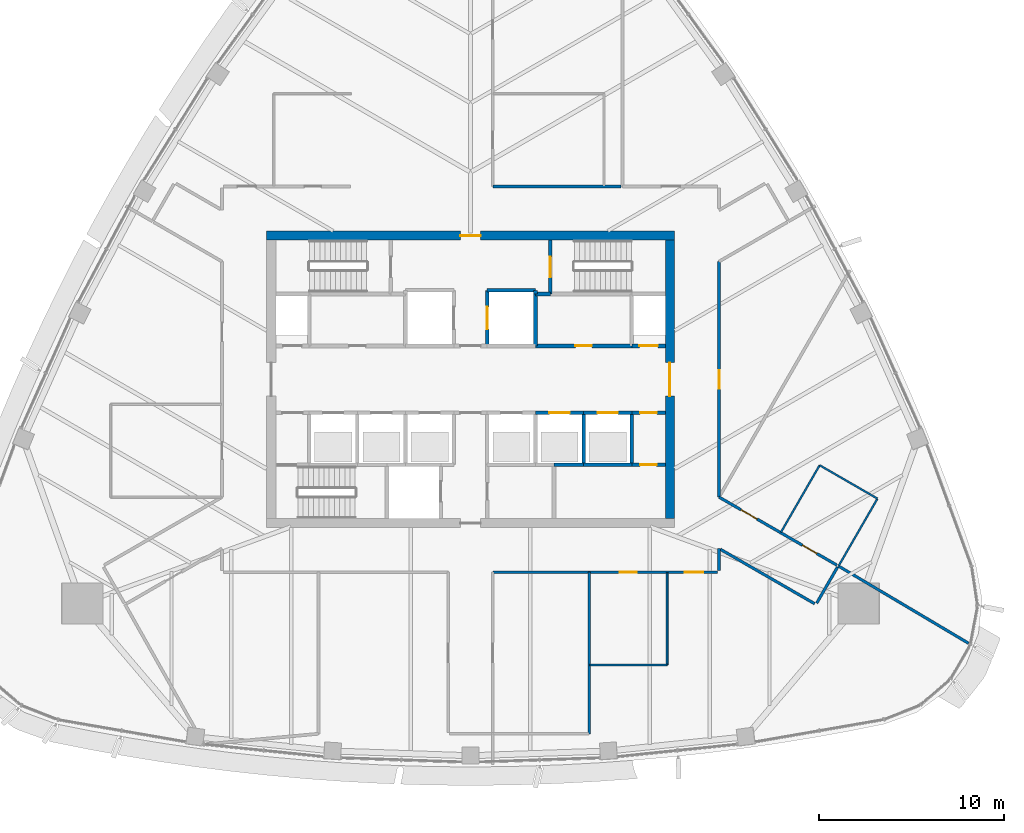
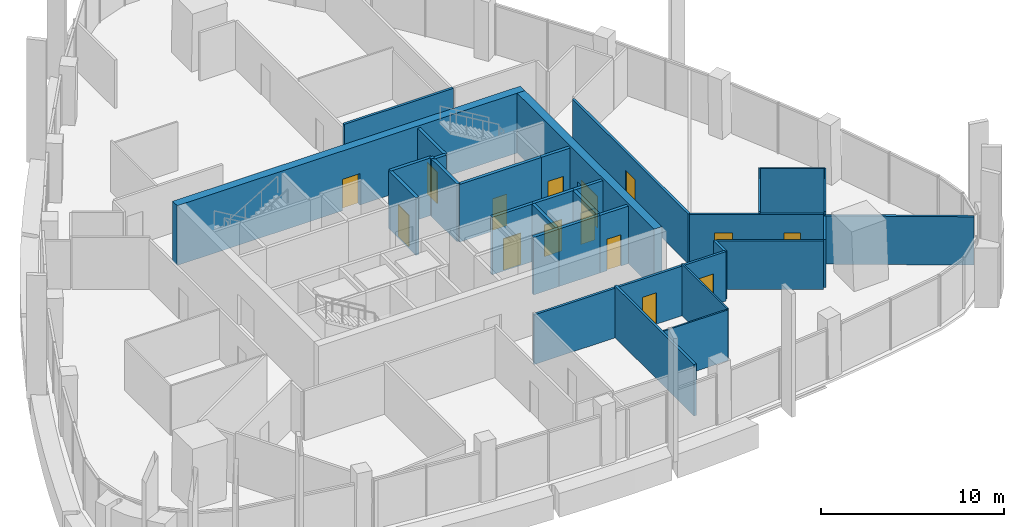
# One storey, part 10 of 18: 32 walls, 15 doors, 15 openings.
"""IFC4 building model written with IfcOpenShell, lengths in metres."""

from ifc_helpers import new_model, si_unit, direction, frame, frame_2d, origin, place, context, subcontext, project, spatial, rectangle, extrude, material, layer, layer_set, type_object, element, fill, save


model = new_model("IFC4")

# Units and contexts
model_context = context("Model", 3, precision=1e-05, world=origin(), true_north=direction((0.0, 1.0)))
body_context = subcontext(model_context, "Body", "Model", "MODEL_VIEW")
ifc_project = project(units=[si_unit("LENGTHUNIT", "METRE"), si_unit("AREAUNIT", "SQUARE_METRE"), si_unit("VOLUMEUNIT", "CUBIC_METRE"), si_unit("PLANEANGLEUNIT", "RADIAN"), si_unit("MASSUNIT", "GRAM", prefix="KILO")], contexts=[model_context])

# Site, building, storey
site_placement = place(None, origin())
site = spatial("IfcSite", under=ifc_project, at=site_placement, CompositionType="ELEMENT")
building_placement = place(site_placement, origin())
building = spatial("IfcBuilding", under=site, at=building_placement, Name="Sierra Prisma Convention Tower", CompositionType="ELEMENT")
storey_placement = place(building_placement, frame((0.0, 0.0, 279.0)))
storey = spatial("IfcBuildingStorey", under=building, at=storey_placement, Name="L63", CompositionType="ELEMENT", Elevation=279.0)

# Walls
ifc_material_1 = material(Name="Gypsum board partition", Category="gypsum")
ifc_layer_1 = layer(ifc_material_1, 0.10009765625)
ifc_layer_set_1 = layer_set([ifc_layer_1], Name="Bathroom partition 100")
wall_type_1 = type_object("IfcWallType", Name="Bathroom partition 100", PredefinedType="PARTITIONING", material=ifc_layer_set_1)
wall_1_placement = place(storey_placement, frame((10.60009765625, -10.429931640625, 0.0), z_axis=(0.0, 0.0, 1.0), x_axis=(0.0, -1.0, 0.0)))
element("IfcWall", 1, at=wall_1_placement, inside=storey, type_object=wall_type_1, Name="Partition L63 bath 8", PredefinedType="PARTITIONING", context=body_context, shape_type="SweptSolid", body=[
    extrude(rectangle(XDim=4.969970703125, YDim=0.10009765625, at=frame_2d((2.48486328125, 0.0))), origin(), (0.0, 0.0, 1.0), 3.449951171875),
])
wall_2_placement = place(storey_placement, frame((10.60009765625, -15.39990234375, 0.0), z_axis=(0.0, 0.0, 1.0), x_axis=(-1.0, 0.0, 0.0)))
element("IfcWall", 2, at=wall_2_placement, inside=storey, type_object=wall_type_1, Name="Partition L63 bath 9", PredefinedType="PARTITIONING", context=body_context, shape_type="SweptSolid", body=[
    extrude(rectangle(XDim=4.170166015625, YDim=0.10009765625, at=frame_2d((2.0849609375, 0.0))), origin(), (0.0, 0.0, 1.0), 3.39306640625),
])
wall_3_placement = place(storey_placement, frame((16.738037109375, -8.243408203125, 0.0), z_axis=(0.0, 0.0, 1.0), x_axis=(0.499992746786, 0.866029591389, 0.0)))
element("IfcWall", 3, at=wall_3_placement, inside=storey, type_object=wall_type_1, Name="Partition L63 bath 10", PredefinedType="PARTITIONING", context=body_context, shape_type="SweptSolid", body=[
    extrude(rectangle(XDim=4.169921875, YDim=0.10009765625, at=frame_2d((2.0849609375, 0.0))), origin(), (0.0, 0.0, 1.0), 3.449951171875),
])
wall_4_placement = place(storey_placement, frame((18.822998046875, -4.632080078125, 0.0), z_axis=(0.0, 0.0, 1.0), x_axis=(0.866018442252, -0.500012057535, 0.0)))
element("IfcWall", 4, at=wall_4_placement, inside=storey, type_object=wall_type_1, Name="Partition L63 bath 11", PredefinedType="PARTITIONING", context=body_context, shape_type="SweptSolid", body=[
    extrude(rectangle(XDim=3.60009765625, YDim=0.10009765625, at=frame_2d((1.800048828125, 0.0))), origin(), (0.0, 0.0, 1.0), 3.443115234375),
])
wall_5_placement = place(storey_placement, frame((21.940673828125, -6.43212890625, 0.0), z_axis=(0.0, 0.0, 1.0), x_axis=(-0.499992746786, -0.866029591389, 0.0)))
element("IfcWall", 5, at=wall_5_placement, inside=storey, type_object=wall_type_1, Name="Partition L63 bath 12", PredefinedType="PARTITIONING", context=body_context, shape_type="SweptSolid", body=[
    extrude(rectangle(XDim=4.169921875, YDim=0.10009765625, at=frame_2d((2.0849609375, 0.0))), origin(), (0.0, 0.0, 1.0), 3.449951171875),
])
ifc_material_2 = material(Name="Concrete C30/37", Category="concrete")
ifc_layer_2 = layer(ifc_material_2, 0.199951171875)
ifc_layer_set_2 = layer_set([ifc_layer_2], Name="Core wall RC 200 C30/37")
wall_type_2 = type_object("IfcWallType", Name="Core wall RC 200 C30/37", PredefinedType="SOLIDWALL", material=ifc_layer_set_2)
wall_6_placement = place(storey_placement, frame((3.5, 4.60009765625, 0.0), z_axis=(0.0, 0.0, 1.0), x_axis=(0.0, 1.0, 0.0)))
element("IfcWall", 6, at=wall_6_placement, inside=storey, type_object=wall_type_2, Name="Core wall L63 36", PredefinedType="SOLIDWALL", context=body_context, shape_type="SweptSolid", body=[
    extrude(rectangle(XDim=0.199951171875, YDim=0.199951171875, at=frame_2d((0.10009765625, 0.0))), origin(), (0.0, 0.0, 1.0), 3.85009765625),
])
wall_7_placement = place(storey_placement, frame((3.5, 4.800048828125, 0.0), z_axis=(0.0, 0.0, 1.0), x_axis=(-1.0, 0.0, 0.0)))
element("IfcWall", 7, at=wall_7_placement, inside=storey, type_object=wall_type_2, Name="Core wall L63 37", PredefinedType="SOLIDWALL", context=body_context, shape_type="SweptSolid", body=[
    extrude(rectangle(XDim=2.60009765625, YDim=0.199951171875, at=frame_2d((1.300048828125, 0.0))), origin(), (0.0, 0.0, 1.0), 3.85009765625),
])

# Wall, opening, door
wall_8_placement = place(storey_placement, frame((0.89990234375, 4.800048828125, 0.0), z_axis=(0.0, 0.0, 1.0), x_axis=(0.0, -1.0, 0.0)))
wall_8 = element("IfcWall", 8, at=wall_8_placement, inside=storey, type_object=wall_type_2, Name="Core wall L63 38", PredefinedType="SOLIDWALL", context=body_context, shape_type="SweptSolid", body=[
    extrude(rectangle(XDim=3.0, YDim=0.199951171875, at=frame_2d((1.5, 0.0))), origin(), (0.0, 0.0, 1.0), 3.85009765625),
])
opening_1_placement = place(wall_8_placement, frame((0.89990234375, 0.0, 0.0)))
opening_1 = element("IfcOpeningElement", 9, at=opening_1_placement, cuts=wall_8, Name="Opening L63-D008", PredefinedType="OPENING", context=body_context, shape_type="SweptSolid", body=[
    extrude(rectangle(XDim=1.199951171875, YDim=2.10009765625, at=frame_2d((0.60009765625, 1.050048828125))), frame((0.0, 0.10009765625, 0.0), z_axis=(0.0, -1.0, 0.0), x_axis=(1.0, 0.0, 0.0)), (0.0, 0.0, 1.0), 0.199951171875),
])
ifc_material_3 = material(Name="Steel fire door leaf", Category="steel")
door_type_1 = type_object("IfcDoorType", Name="Door 1200x2100 EI 90 sliding lift landing", OperationType="SLIDING_TO_LEFT", PredefinedType="DOOR", material=ifc_material_3)
door_1_placement = place(opening_1_placement, origin())
door_1 = element("IfcDoor", 10, at=door_1_placement, inside=storey, type_object=door_type_1, Name="Door L63 23", OperationType="SLIDING_TO_RIGHT", OverallHeight=2.10009765625, OverallWidth=1.199951171875, PredefinedType="DOOR", context=body_context, shape_type="SweptSolid", body=[
    extrude(rectangle(XDim=1.199951171875, YDim=2.10009765625, at=frame_2d((0.60009765625, 1.050048828125))), frame((0.0, 0.02490234375, 0.0), z_axis=(0.0, -1.0, 0.0), x_axis=(1.0, 0.0, 0.0)), (0.0, 0.0, 1.0), 0.050048828125),
])
fill(opening_1, door_1)

wall_9_placement = place(storey_placement, frame((3.5, -1.800048828125, 0.0), z_axis=(0.0, 0.0, 1.0), x_axis=(1.0, 0.0, 0.0)))
wall_9 = element("IfcWall", 11, at=wall_9_placement, inside=storey, type_object=wall_type_2, Name="Core wall L63 41", PredefinedType="SOLIDWALL", context=body_context, shape_type="SweptSolid", body=[
    extrude(rectangle(XDim=2.60009765625, YDim=0.199951171875, at=frame_2d((1.300048828125, 0.0))), origin(), (0.0, 0.0, 1.0), 3.85009765625),
])
opening_2_placement = place(wall_9_placement, frame((0.75, 0.0, 0.0)))
opening_2 = element("IfcOpeningElement", 12, at=opening_2_placement, cuts=wall_9, Name="Opening L63-D005", PredefinedType="OPENING", context=body_context, shape_type="SweptSolid", body=[
    extrude(rectangle(XDim=1.10009765625, YDim=2.10009765625, at=frame_2d((0.550048828125, 1.050048828125))), frame((0.0, 0.10009765625, 0.0), z_axis=(0.0, -1.0, 0.0), x_axis=(1.0, 0.0, 0.0)), (0.0, 0.0, 1.0), 0.199951171875),
])
ifc_material_4 = material(Name="Steel fire door leaf", Category="steel")
door_type_2 = type_object("IfcDoorType", Name="Door 1100x2100 EI 90 sliding lift landing", OperationType="SLIDING_TO_LEFT", PredefinedType="DOOR", material=ifc_material_4)
door_2_placement = place(opening_2_placement, origin())
door_2 = element("IfcDoor", 13, at=door_2_placement, inside=storey, type_object=door_type_2, Name="Door L63 20", OperationType="SLIDING_TO_RIGHT", OverallHeight=2.10009765625, OverallWidth=1.10009765625, PredefinedType="DOOR", context=body_context, shape_type="SweptSolid", body=[
    extrude(rectangle(XDim=1.10009765625, YDim=2.10009765625, at=frame_2d((0.550048828125, 1.050048828125))), frame((0.0, 0.02490234375, 0.0), z_axis=(0.0, -1.0, 0.0), x_axis=(1.0, 0.0, 0.0)), (0.0, 0.0, 1.0), 0.050048828125),
])
fill(opening_2, door_2)

wall_10_placement = place(storey_placement, frame((3.5, 1.800048828125, 0.0), z_axis=(0.0, 0.0, 1.0), x_axis=(1.0, 0.0, 0.0)))
wall_10 = element("IfcWall", 14, at=wall_10_placement, inside=storey, type_object=wall_type_2, Name="Core wall L63 42", PredefinedType="SOLIDWALL", context=body_context, shape_type="SweptSolid", body=[
    extrude(rectangle(XDim=5.199951171875, YDim=0.199951171875, at=frame_2d((2.60009765625, 0.0))), origin(), (0.0, 0.0, 1.0), 3.85009765625),
])
opening_3_placement = place(wall_10_placement, frame((2.14990234375, 0.0, 0.0)))
opening_3 = element("IfcOpeningElement", 15, at=opening_3_placement, cuts=wall_10, Name="Opening L63-D018", PredefinedType="OPENING", context=body_context, shape_type="SweptSolid", body=[
    extrude(rectangle(XDim=0.89990234375, YDim=2.10009765625, at=frame_2d((0.449951171875, 1.050048828125))), frame((0.0, 0.10009765625, 0.0), z_axis=(0.0, -1.0, 0.0), x_axis=(1.0, 0.0, 0.0)), (0.0, 0.0, 1.0), 0.199951171875),
])
ifc_material_5 = material(Name="Steel fire door leaf", Category="steel")
door_type_3 = type_object("IfcDoorType", Name="Door 900x2100 FD30S", OperationType="SINGLE_SWING_LEFT", PredefinedType="DOOR", material=ifc_material_5)
door_3_placement = place(opening_3_placement, origin())
door_3 = element("IfcDoor", 16, at=door_3_placement, inside=storey, type_object=door_type_3, Name="Door L63 33", OperationType="SINGLE_SWING_LEFT", OverallHeight=2.10009765625, OverallWidth=0.89990234375, PredefinedType="DOOR", context=body_context, shape_type="SweptSolid", body=[
    extrude(rectangle(XDim=0.89990234375, YDim=2.10009765625, at=frame_2d((0.449951171875, 1.050048828125))), frame((0.0, 0.02490234375, 0.0), z_axis=(0.0, -1.0, 0.0), x_axis=(1.0, 0.0, 0.0)), (0.0, 0.0, 1.0), 0.050048828125),
])
fill(opening_3, door_3)

# Walls
wall_11_placement = place(storey_placement, frame((3.5, 4.60009765625, 0.0), z_axis=(0.0, 0.0, 1.0), x_axis=(0.0, -1.0, 0.0)))
element("IfcWall", 17, at=wall_11_placement, inside=storey, type_object=wall_type_2, Name="Core wall L63 43", PredefinedType="SOLIDWALL", context=body_context, shape_type="SweptSolid", body=[
    extrude(rectangle(XDim=2.800048828125, YDim=0.199951171875, at=frame_2d((1.39990234375, 0.0))), origin(), (0.0, 0.0, 1.0), 3.85009765625),
])
wall_12_placement = place(storey_placement, frame((4.300048828125, 4.60009765625, 0.0), z_axis=(0.0, 0.0, 1.0), x_axis=(-1.0, 0.0, 0.0)))
element("IfcWall", 18, at=wall_12_placement, inside=storey, type_object=wall_type_2, Name="Core wall L63 44", PredefinedType="SOLIDWALL", context=body_context, shape_type="SweptSolid", body=[
    extrude(rectangle(XDim=0.800048828125, YDim=0.199951171875, at=frame_2d((0.39990234375, 0.0))), origin(), (0.0, 0.0, 1.0), 3.85009765625),
])

# Wall, opening, door
wall_13_placement = place(storey_placement, frame((4.300048828125, 7.5, 0.0), z_axis=(0.0, 0.0, 1.0), x_axis=(0.0, -1.0, 0.0)))
wall_13 = element("IfcWall", 19, at=wall_13_placement, inside=storey, type_object=wall_type_2, Name="Core wall L63 46", PredefinedType="SOLIDWALL", context=body_context, shape_type="SweptSolid", body=[
    extrude(rectangle(XDim=2.89990234375, YDim=0.199951171875, at=frame_2d((1.449951171875, 0.0))), origin(), (0.0, 0.0, 1.0), 3.85009765625),
])
opening_4_placement = place(wall_13_placement, frame((0.89990234375, 0.0, 0.0)))
opening_4 = element("IfcOpeningElement", 20, at=opening_4_placement, cuts=wall_13, Name="Opening L63-D017", PredefinedType="OPENING", context=body_context, shape_type="SweptSolid", body=[
    extrude(rectangle(XDim=1.10009765625, YDim=2.10009765625, at=frame_2d((0.550048828125, 1.050048828125))), frame((0.0, 0.10009765625, 0.0), z_axis=(0.0, -1.0, 0.0), x_axis=(1.0, 0.0, 0.0)), (0.0, 0.0, 1.0), 0.199951171875),
])
ifc_material_6 = material(Name="Steel fire door leaf", Category="steel")
door_type_4 = type_object("IfcDoorType", Name="Door 1100x2100 FD90S", OperationType="SINGLE_SWING_LEFT", PredefinedType="DOOR", material=ifc_material_6)
door_4_placement = place(opening_4_placement, origin())
door_4 = element("IfcDoor", 21, at=door_4_placement, inside=storey, type_object=door_type_4, Name="Door L63 32", OperationType="SINGLE_SWING_LEFT", OverallHeight=2.10009765625, OverallWidth=1.10009765625, PredefinedType="DOOR", context=body_context, shape_type="SweptSolid", body=[
    extrude(rectangle(XDim=1.10009765625, YDim=2.10009765625, at=frame_2d((0.550048828125, 1.050048828125))), frame((0.0, 0.02490234375, 0.0), z_axis=(0.0, -1.0, 0.0), x_axis=(1.0, 0.0, 0.0)), (0.0, 0.0, 1.0), 0.050048828125),
])
fill(opening_4, door_4)

# Walls
wall_14_placement = place(storey_placement, frame((6.10009765625, -4.60009765625, 0.0), z_axis=(0.0, 0.0, 1.0), x_axis=(-1.0, 0.0, 0.0)))
element("IfcWall", 22, at=wall_14_placement, inside=storey, type_object=wall_type_2, Name="Core wall L63 48", PredefinedType="SOLIDWALL", context=body_context, shape_type="SweptSolid", body=[
    extrude(rectangle(XDim=1.60009765625, YDim=0.199951171875, at=frame_2d((0.800048828125, 0.0))), origin(), (0.0, 0.0, 1.0), 3.85009765625),
])
wall_15_placement = place(storey_placement, frame((8.699951171875, -4.60009765625, 0.0), z_axis=(0.0, 0.0, 1.0), x_axis=(-1.0, 0.0, 0.0)))
element("IfcWall", 23, at=wall_15_placement, inside=storey, type_object=wall_type_2, Name="Core wall L63 49", PredefinedType="SOLIDWALL", context=body_context, shape_type="SweptSolid", body=[
    extrude(rectangle(XDim=2.599853515625, YDim=0.199951171875, at=frame_2d((1.2998046875, 0.0))), origin(), (0.0, 0.0, 1.0), 3.85009765625),
])
wall_16_placement = place(storey_placement, frame((6.10009765625, -4.60009765625, 0.0), z_axis=(0.0, 0.0, 1.0), x_axis=(0.0, 1.0, 0.0)))
element("IfcWall", 24, at=wall_16_placement, inside=storey, type_object=wall_type_2, Name="Core wall L63 50", PredefinedType="SOLIDWALL", context=body_context, shape_type="SweptSolid", body=[
    extrude(rectangle(XDim=2.800048828125, YDim=0.199951171875, at=frame_2d((1.39990234375, 0.0))), origin(), (0.0, 0.0, 1.0), 3.85009765625),
])

# Wall, opening, door
wall_17_placement = place(storey_placement, frame((6.10009765625, -1.800048828125, 0.0), z_axis=(0.0, 0.0, 1.0), x_axis=(1.0, 0.0, 0.0)))
wall_17 = element("IfcWall", 25, at=wall_17_placement, inside=storey, type_object=wall_type_2, Name="Core wall L63 51", PredefinedType="SOLIDWALL", context=body_context, shape_type="SweptSolid", body=[
    extrude(rectangle(XDim=2.599853515625, YDim=0.199951171875, at=frame_2d((1.2998046875, 0.0))), origin(), (0.0, 0.0, 1.0), 3.85009765625),
])
opening_5_placement = place(wall_17_placement, frame((0.75, 0.0, 0.0)))
opening_5 = element("IfcOpeningElement", 26, at=opening_5_placement, cuts=wall_17, Name="Opening L63-D006", PredefinedType="OPENING", context=body_context, shape_type="SweptSolid", body=[
    extrude(rectangle(XDim=1.10009765625, YDim=2.10009765625, at=frame_2d((0.550048828125, 1.050048828125))), frame((0.0, 0.10009765625, 0.0), z_axis=(0.0, -1.0, 0.0), x_axis=(1.0, 0.0, 0.0)), (0.0, 0.0, 1.0), 0.199951171875),
])
door_5_placement = place(opening_5_placement, origin())
door_5 = element("IfcDoor", 27, at=door_5_placement, inside=storey, type_object=door_type_2, Name="Door L63 21", OperationType="SLIDING_TO_LEFT", OverallHeight=2.10009765625, OverallWidth=1.10009765625, PredefinedType="DOOR", context=body_context, shape_type="SweptSolid", body=[
    extrude(rectangle(XDim=1.10009765625, YDim=2.10009765625, at=frame_2d((0.550048828125, 1.050048828125))), frame((0.0, 0.02490234375, 0.0), z_axis=(0.0, -1.0, 0.0), x_axis=(1.0, 0.0, 0.0)), (0.0, 0.0, 1.0), 0.050048828125),
])
fill(opening_5, door_5)

wall_18_placement = place(storey_placement, frame((10.5, -4.60009765625, 0.0), z_axis=(0.0, 0.0, 1.0), x_axis=(-1.0, 0.0, 0.0)))
wall_18 = element("IfcWall", 28, at=wall_18_placement, inside=storey, type_object=wall_type_2, Name="Core wall L63 52", PredefinedType="SOLIDWALL", context=body_context, shape_type="SweptSolid", body=[
    extrude(rectangle(XDim=1.800048828125, YDim=0.199951171875, at=frame_2d((0.89990234375, 0.0))), origin(), (0.0, 0.0, 1.0), 3.85009765625),
])
opening_6_placement = place(wall_18_placement, frame((0.4599609375, 0.0, 0.0)))
opening_6 = element("IfcOpeningElement", 29, at=opening_6_placement, cuts=wall_18, Name="Opening L63-D020", PredefinedType="OPENING", context=body_context, shape_type="SweptSolid", body=[
    extrude(rectangle(XDim=0.89990234375, YDim=2.10009765625, at=frame_2d((0.449951171875, 1.050048828125))), frame((0.0, 0.10009765625, 0.0), z_axis=(0.0, -1.0, 0.0), x_axis=(1.0, 0.0, 0.0)), (0.0, 0.0, 1.0), 0.199951171875),
])
door_6_placement = place(opening_6_placement, origin())
door_6 = element("IfcDoor", 30, at=door_6_placement, inside=storey, type_object=door_type_3, Name="Door L63 35", OperationType="SINGLE_SWING_RIGHT", OverallHeight=2.10009765625, OverallWidth=0.89990234375, PredefinedType="DOOR", context=body_context, shape_type="SweptSolid", body=[
    extrude(rectangle(XDim=0.89990234375, YDim=2.10009765625, at=frame_2d((0.449951171875, 1.050048828125))), frame((0.0, 0.02490234375, 0.0), z_axis=(0.0, -1.0, 0.0), x_axis=(1.0, 0.0, 0.0)), (0.0, 0.0, 1.0), 0.050048828125),
])
fill(opening_6, door_6)

# Wall
wall_19_placement = place(storey_placement, frame((8.699951171875, -1.800048828125, 0.0), z_axis=(0.0, 0.0, 1.0), x_axis=(0.0, -1.0, 0.0)))
element("IfcWall", 31, at=wall_19_placement, inside=storey, type_object=wall_type_2, Name="Core wall L63 53", PredefinedType="SOLIDWALL", context=body_context, shape_type="SweptSolid", body=[
    extrude(rectangle(XDim=2.800048828125, YDim=0.199951171875, at=frame_2d((1.39990234375, 0.0))), origin(), (0.0, 0.0, 1.0), 3.85009765625),
])

# Wall, opening, door
wall_20_placement = place(storey_placement, frame((8.699951171875, -1.800048828125, 0.0), z_axis=(0.0, 0.0, 1.0), x_axis=(1.0, 0.0, 0.0)))
wall_20 = element("IfcWall", 32, at=wall_20_placement, inside=storey, type_object=wall_type_2, Name="Core wall L63 54", PredefinedType="SOLIDWALL", context=body_context, shape_type="SweptSolid", body=[
    extrude(rectangle(XDim=1.800048828125, YDim=0.199951171875, at=frame_2d((0.89990234375, 0.0))), origin(), (0.0, 0.0, 1.0), 3.85009765625),
])
opening_7_placement = place(wall_20_placement, frame((0.449951171875, 0.0, 0.0)))
opening_7 = element("IfcOpeningElement", 33, at=opening_7_placement, cuts=wall_20, Name="Opening L63-D021", PredefinedType="OPENING", context=body_context, shape_type="SweptSolid", body=[
    extrude(rectangle(XDim=0.89990234375, YDim=2.10009765625, at=frame_2d((0.449951171875, 1.050048828125))), frame((0.0, 0.10009765625, 0.0), z_axis=(0.0, -1.0, 0.0), x_axis=(1.0, 0.0, 0.0)), (0.0, 0.0, 1.0), 0.199951171875),
])
door_7_placement = place(opening_7_placement, origin())
door_7 = element("IfcDoor", 34, at=door_7_placement, inside=storey, type_object=door_type_3, Name="Door L63 36", OperationType="SINGLE_SWING_LEFT", OverallHeight=2.10009765625, OverallWidth=0.89990234375, PredefinedType="DOOR", context=body_context, shape_type="SweptSolid", body=[
    extrude(rectangle(XDim=0.89990234375, YDim=2.10009765625, at=frame_2d((0.449951171875, 1.050048828125))), frame((0.0, 0.02490234375, 0.0), z_axis=(0.0, -1.0, 0.0), x_axis=(1.0, 0.0, 0.0)), (0.0, 0.0, 1.0), 0.050048828125),
])
fill(opening_7, door_7)

wall_21_placement = place(storey_placement, frame((10.5, 1.800048828125, 0.0), z_axis=(0.0, 0.0, 1.0), x_axis=(-1.0, 0.0, 0.0)))
wall_21 = element("IfcWall", 35, at=wall_21_placement, inside=storey, type_object=wall_type_2, Name="Core wall L63 55", PredefinedType="SOLIDWALL", context=body_context, shape_type="SweptSolid", body=[
    extrude(rectangle(XDim=1.800048828125, YDim=0.199951171875, at=frame_2d((0.89990234375, 0.0))), origin(), (0.0, 0.0, 1.0), 3.85009765625),
])
opening_8_placement = place(wall_21_placement, frame((0.39990234375, 0.0, 0.0)))
opening_8 = element("IfcOpeningElement", 36, at=opening_8_placement, cuts=wall_21, Name="Opening L63-D014", PredefinedType="OPENING", context=body_context, shape_type="SweptSolid", body=[
    extrude(rectangle(XDim=1.0, YDim=2.10009765625, at=frame_2d((0.5, 1.050048828125))), frame((0.0, 0.10009765625, 0.0), z_axis=(0.0, -1.0, 0.0), x_axis=(1.0, 0.0, 0.0)), (0.0, 0.0, 1.0), 0.199951171875),
])
ifc_material_7 = material(Name="Steel fire door leaf", Category="steel")
door_type_5 = type_object("IfcDoorType", Name="Door 1000x2100 FD60S", OperationType="SINGLE_SWING_LEFT", PredefinedType="DOOR", material=ifc_material_7)
door_8_placement = place(opening_8_placement, origin())
door_8 = element("IfcDoor", 37, at=door_8_placement, inside=storey, type_object=door_type_5, Name="Door L63 29", OperationType="SINGLE_SWING_LEFT", OverallHeight=2.10009765625, OverallWidth=1.0, PredefinedType="DOOR", context=body_context, shape_type="SweptSolid", body=[
    extrude(rectangle(XDim=1.0, YDim=2.10009765625, at=frame_2d((0.5, 1.050048828125))), frame((0.0, 0.02490234375, 0.0), z_axis=(0.0, -1.0, 0.0), x_axis=(1.0, 0.0, 0.0)), (0.0, 0.0, 1.0), 0.050048828125),
])
fill(opening_8, door_8)

ifc_material_8 = material(Name="Concrete C50/60", Category="concrete")
ifc_layer_3 = layer(ifc_material_8, 0.5)
ifc_layer_set_3 = layer_set([ifc_layer_3], Name="Core wall RC 500 C50/60")
wall_type_3 = type_object("IfcWallType", Name="Core wall RC 500 C50/60", PredefinedType="SHEAR", material=ifc_layer_set_3)
wall_22_placement = place(storey_placement, frame((-11.0, 7.75, 0.0), z_axis=(0.0, 0.0, 1.0), x_axis=(1.0, 0.0, 0.0)))
wall_22 = element("IfcWall", 38, at=wall_22_placement, inside=storey, type_object=wall_type_3, Name="Core wall N L63", PredefinedType="SHEAR", context=body_context, shape_type="SweptSolid", body=[
    extrude(rectangle(XDim=22.0, YDim=0.5, at=frame_2d((11.0, 0.0))), origin(), (0.0, 0.0, 1.0), 4.0),
])
opening_9_placement = place(wall_22_placement, frame((10.449951171875, 0.0, 0.0)))
opening_9 = element("IfcOpeningElement", 39, at=opening_9_placement, cuts=wall_22, Name="Opening L63-D039", PredefinedType="OPENING", context=body_context, shape_type="SweptSolid", body=[
    extrude(rectangle(XDim=1.10009765625, YDim=2.10009765625, at=frame_2d((0.550048828125, 1.050048828125))), frame((0.0, 0.25, 0.0), z_axis=(0.0, -1.0, 0.0), x_axis=(1.0, 0.0, 0.0)), (0.0, 0.0, 1.0), 0.5),
])
ifc_material_9 = material(Name="Steel fire door leaf", Category="steel")
door_type_6 = type_object("IfcDoorType", Name="Door 1100x2100 FD60S", OperationType="SINGLE_SWING_LEFT", PredefinedType="DOOR", material=ifc_material_9)
door_9_placement = place(opening_9_placement, origin())
door_9 = element("IfcDoor", 40, at=door_9_placement, inside=storey, type_object=door_type_6, Name="Door L63 40", OperationType="SINGLE_SWING_LEFT", OverallHeight=2.10009765625, OverallWidth=1.10009765625, PredefinedType="DOOR", context=body_context, shape_type="SweptSolid", body=[
    extrude(rectangle(XDim=1.10009765625, YDim=2.10009765625, at=frame_2d((0.550048828125, 1.050048828125))), frame((0.0, 0.02490234375, 0.0), z_axis=(0.0, -1.0, 0.0), x_axis=(1.0, 0.0, 0.0)), (0.0, 0.0, 1.0), 0.050048828125),
])
fill(opening_9, door_9)

wall_23_placement = place(storey_placement, frame((10.75, -7.5, 0.0), z_axis=(0.0, 0.0, 1.0), x_axis=(0.0, 1.0, 0.0)))
wall_23 = element("IfcWall", 41, at=wall_23_placement, inside=storey, type_object=wall_type_3, Name="Core wall E L63", PredefinedType="SHEAR", context=body_context, shape_type="SweptSolid", body=[
    extrude(rectangle(XDim=15.0, YDim=0.5, at=frame_2d((7.5, 0.0))), origin(), (0.0, 0.0, 1.0), 4.0),
])
opening_10_placement = place(wall_23_placement, frame((6.60009765625, 0.0, 0.0)))
opening_10 = element("IfcOpeningElement", 42, at=opening_10_placement, cuts=wall_23, Name="Opening L63-D038", PredefinedType="OPENING", context=body_context, shape_type="SweptSolid", body=[
    extrude(rectangle(XDim=1.800048828125, YDim=2.10009765625, at=frame_2d((0.89990234375, 1.050048828125))), frame((0.0, 0.25, 0.0), z_axis=(0.0, -1.0, 0.0), x_axis=(1.0, 0.0, 0.0)), (0.0, 0.0, 1.0), 0.5),
])
ifc_material_10 = material(Name="Steel fire door leaf", Category="steel")
door_type_7 = type_object("IfcDoorType", Name="Door 1800x2100 FD60S", OperationType="DOUBLE_DOOR_SINGLE_SWING", PredefinedType="DOOR", material=ifc_material_10)
door_10_placement = place(opening_10_placement, origin())
door_10 = element("IfcDoor", 43, at=door_10_placement, inside=storey, type_object=door_type_7, Name="Door L63 39", OperationType="DOUBLE_DOOR_SINGLE_SWING", OverallHeight=2.10009765625, OverallWidth=1.800048828125, PredefinedType="DOOR", context=body_context, shape_type="SweptSolid", body=[
    extrude(rectangle(XDim=1.800048828125, YDim=2.10009765625, at=frame_2d((0.89990234375, 1.050048828125))), frame((0.0, 0.02490234375, 0.0), z_axis=(0.0, -1.0, 0.0), x_axis=(1.0, 0.0, 0.0)), (0.0, 0.0, 1.0), 0.050048828125),
])
fill(opening_10, door_10)

# Wall, openings, doors
ifc_material_11 = material(Name="Gypsum board partition", Category="gypsum")
ifc_layer_4 = layer(ifc_material_11, 0.14990234375)
ifc_layer_set_4 = layer_set([ifc_layer_4], Name="Corridor wall 150 gypsum EI 60")
wall_type_4 = type_object("IfcWallType", Name="Corridor wall 150 gypsum EI 60", PredefinedType="PARTITIONING", material=ifc_layer_set_4)
wall_24_placement = place(storey_placement, frame((1.199951171875, -10.39990234375, 0.0), z_axis=(0.0, 0.0, 1.0), x_axis=(1.0, 0.0, 0.0)))
wall_24 = element("IfcWall", 44, at=wall_24_placement, inside=storey, type_object=wall_type_4, Name="Partition L63 corr 16", PredefinedType="PARTITIONING", context=body_context, shape_type="SweptSolid", body=[
    extrude(rectangle(XDim=12.1201171875, YDim=0.14990234375, at=frame_2d((6.06005859375, 0.0))), origin(), (0.0, 0.0, 1.0), 3.31689453125),
])
opening_11_placement = place(wall_24_placement, frame((6.85009765625, 0.0, 0.0)))
opening_11 = element("IfcOpeningElement", 45, at=opening_11_placement, cuts=wall_24, Name="Opening L63-D034", PredefinedType="OPENING", context=body_context, shape_type="SweptSolid", body=[
    extrude(rectangle(XDim=0.89990234375, YDim=2.10009765625, at=frame_2d((0.449951171875, 1.050048828125))), frame((0.0, 0.074951171875, 0.0), z_axis=(0.0, -1.0, 0.0), x_axis=(1.0, 0.0, 0.0)), (0.0, 0.0, 1.0), 0.14990234375),
])
opening_12_placement = place(wall_24_placement, frame((10.35009765625, 0.0, 0.0)))
opening_12 = element("IfcOpeningElement", 46, at=opening_12_placement, cuts=wall_24, Name="Opening L63-D035", PredefinedType="OPENING", context=body_context, shape_type="SweptSolid", body=[
    extrude(rectangle(XDim=1.0, YDim=2.10009765625, at=frame_2d((0.5, 1.050048828125))), frame((0.0, 0.074951171875, 0.0), z_axis=(0.0, -1.0, 0.0), x_axis=(1.0, 0.0, 0.0)), (0.0, 0.0, 1.0), 0.14990234375),
])
ifc_material_12 = material(Name="Steel fire door leaf", Category="steel")
door_type_8 = type_object("IfcDoorType", Name="Door 1000x2100 FD30S", OperationType="SINGLE_SWING_LEFT", PredefinedType="DOOR", material=ifc_material_12)
door_11_placement = place(opening_12_placement, origin())
door_11 = element("IfcDoor", 47, at=door_11_placement, inside=storey, type_object=door_type_8, Name="Door L63 13", OperationType="SINGLE_SWING_RIGHT", OverallHeight=2.10009765625, OverallWidth=1.0, PredefinedType="DOOR", context=body_context, shape_type="SweptSolid", body=[
    extrude(rectangle(XDim=1.0, YDim=2.10009765625, at=frame_2d((0.5, 1.050048828125))), frame((0.0, 0.02490234375, 0.0), z_axis=(0.0, -1.0, 0.0), x_axis=(1.0, 0.0, 0.0)), (0.0, 0.0, 1.0), 0.050048828125),
])
fill(opening_12, door_11)
door_12_placement = place(opening_11_placement, origin())
door_12 = element("IfcDoor", 48, at=door_12_placement, inside=storey, type_object=door_type_3, Name="Door L63 12", OperationType="SINGLE_SWING_RIGHT", OverallHeight=2.10009765625, OverallWidth=0.89990234375, PredefinedType="DOOR", context=body_context, shape_type="SweptSolid", body=[
    extrude(rectangle(XDim=0.89990234375, YDim=2.10009765625, at=frame_2d((0.449951171875, 1.050048828125))), frame((0.0, 0.02490234375, 0.0), z_axis=(0.0, -1.0, 0.0), x_axis=(1.0, 0.0, 0.0)), (0.0, 0.0, 1.0), 0.050048828125),
])
fill(opening_11, door_12)

# Walls
wall_25_placement = place(storey_placement, frame((8.1201171875, 10.39990234375, 0.0), z_axis=(0.0, 0.0, 1.0), x_axis=(-1.0, 0.0, 0.0)))
element("IfcWall", 49, at=wall_25_placement, inside=storey, type_object=wall_type_4, Name="Partition L63 corr 17", PredefinedType="PARTITIONING", context=body_context, shape_type="SweptSolid", body=[
    extrude(rectangle(XDim=6.920166015625, YDim=0.14990234375, at=frame_2d((3.4599609375, 0.0))), origin(), (0.0, 0.0, 1.0), 3.449951171875),
])
wall_26_placement = place(storey_placement, frame((13.39990234375, -10.320068359375, 0.0), z_axis=(0.0, 0.0, 1.0), x_axis=(0.0, 1.0, 0.0)))
element("IfcWall", 50, at=wall_26_placement, inside=storey, type_object=wall_type_4, Name="Partition L63 corr 20", PredefinedType="PARTITIONING", context=body_context, shape_type="SweptSolid", body=[
    extrude(rectangle(XDim=1.197998046875, YDim=0.14990234375, at=frame_2d((0.59912109375, 0.0))), origin(), (0.0, 0.0, 1.0), 3.23291015625),
])
wall_27_placement = place(storey_placement, frame((13.479248046875, -9.16796875, 0.0), z_axis=(0.0, 0.0, 1.0), x_axis=(0.866032259827, -0.499988124798, 0.0)))
element("IfcWall", 51, at=wall_27_placement, inside=storey, type_object=wall_type_4, Name="Partition L63 corr 21", PredefinedType="PARTITIONING", context=body_context, shape_type="SweptSolid", body=[
    extrude(rectangle(XDim=5.860107421875, YDim=0.14990234375, at=frame_2d((2.93017578125, 0.0))), origin(), (0.0, 0.0, 1.0), 3.23291015625),
])

# Wall, opening, door
wall_28_placement = place(storey_placement, frame((13.39990234375, -6.350830078125, 0.0), z_axis=(0.0, 0.0, 1.0), x_axis=(0.0, 1.0, 0.0)))
wall_28 = element("IfcWall", 52, at=wall_28_placement, inside=storey, type_object=wall_type_4, Name="Partition L63 corr 22", PredefinedType="PARTITIONING", context=body_context, shape_type="SweptSolid", body=[
    extrude(rectangle(XDim=12.70166015625, YDim=0.14990234375, at=frame_2d((6.350830078125, 0.0))), origin(), (0.0, 0.0, 1.0), 3.31689453125),
])
opening_13_placement = place(wall_28_placement, frame((5.850830078125, 0.0, 0.0)))
opening_13 = element("IfcOpeningElement", 53, at=opening_13_placement, cuts=wall_28, Name="Opening L63-D023", PredefinedType="OPENING", context=body_context, shape_type="SweptSolid", body=[
    extrude(rectangle(XDim=1.0, YDim=2.10009765625, at=frame_2d((0.5, 1.050048828125))), frame((0.0, 0.074951171875, 0.0), z_axis=(0.0, -1.0, 0.0), x_axis=(1.0, 0.0, 0.0)), (0.0, 0.0, 1.0), 0.14990234375),
])
door_13_placement = place(opening_13_placement, origin())
door_13 = element("IfcDoor", 54, at=door_13_placement, inside=storey, type_object=door_type_8, Name="Door L63 1", OperationType="SINGLE_SWING_RIGHT", OverallHeight=2.10009765625, OverallWidth=1.0, PredefinedType="DOOR", context=body_context, shape_type="SweptSolid", body=[
    extrude(rectangle(XDim=1.0, YDim=2.10009765625, at=frame_2d((0.5, 1.050048828125))), frame((0.0, 0.02490234375, 0.0), z_axis=(0.0, -1.0, 0.0), x_axis=(1.0, 0.0, 0.0)), (0.0, 0.0, 1.0), 0.050048828125),
])
fill(opening_13, door_13)

# Wall, openings, doors
wall_29_placement = place(storey_placement, frame((19.754150390625, -10.019287109375, 0.0), z_axis=(0.0, 0.0, 1.0), x_axis=(-0.866035423939, 0.499982644181, 0.0)))
wall_29 = element("IfcWall", 55, at=wall_29_placement, inside=storey, type_object=wall_type_4, Name="Partition L63 corr 24", PredefinedType="PARTITIONING", context=body_context, shape_type="SweptSolid", body=[
    extrude(rectangle(XDim=7.337158203125, YDim=0.14990234375, at=frame_2d((3.66845703125, 0.0))), origin(), (0.0, 0.0, 1.0), 3.31689453125),
])
opening_14_placement = place(wall_29_placement, frame((1.25, 0.0, 0.0)))
opening_14 = element("IfcOpeningElement", 56, at=opening_14_placement, cuts=wall_29, Name="Opening L63-D036", PredefinedType="OPENING", context=body_context, shape_type="SweptSolid", body=[
    extrude(rectangle(XDim=0.89990234375, YDim=2.10009765625, at=frame_2d((0.449951171875, 1.050048828125))), frame((0.0, 0.074951171875, 0.0), z_axis=(0.0, -1.0, 0.0), x_axis=(1.0, 0.0, 0.0)), (0.0, 0.0, 1.0), 0.14990234375),
])
opening_15_placement = place(wall_29_placement, frame((4.968505859375, 0.0, 0.0)))
opening_15 = element("IfcOpeningElement", 57, at=opening_15_placement, cuts=wall_29, Name="Opening L63-D037", PredefinedType="OPENING", context=body_context, shape_type="SweptSolid", body=[
    extrude(rectangle(XDim=1.0, YDim=2.10009765625, at=frame_2d((0.5, 1.050048828125))), frame((0.0, 0.074951171875, 0.0), z_axis=(0.0, -1.0, 0.0), x_axis=(1.0, 0.0, 0.0)), (0.0, 0.0, 1.0), 0.14990234375),
])
door_14_placement = place(opening_15_placement, origin())
door_14 = element("IfcDoor", 58, at=door_14_placement, inside=storey, type_object=door_type_8, Name="Door L63 15", OperationType="SINGLE_SWING_RIGHT", OverallHeight=2.10009765625, OverallWidth=1.0, PredefinedType="DOOR", context=body_context, shape_type="SweptSolid", body=[
    extrude(rectangle(XDim=1.0, YDim=2.10009765625, at=frame_2d((0.5, 1.050048828125))), frame((0.0, 0.02490234375, 0.0), z_axis=(0.0, -1.0, 0.0), x_axis=(1.0, 0.0, 0.0)), (0.0, 0.0, 1.0), 0.050048828125),
])
fill(opening_15, door_14)
door_15_placement = place(opening_14_placement, origin())
door_15 = element("IfcDoor", 59, at=door_15_placement, inside=storey, type_object=door_type_3, Name="Door L63 14", OperationType="SINGLE_SWING_LEFT", OverallHeight=2.10009765625, OverallWidth=0.89990234375, PredefinedType="DOOR", context=body_context, shape_type="SweptSolid", body=[
    extrude(rectangle(XDim=0.89990234375, YDim=2.10009765625, at=frame_2d((0.449951171875, 1.050048828125))), frame((0.0, 0.02490234375, 0.0), z_axis=(0.0, -1.0, 0.0), x_axis=(1.0, 0.0, 0.0)), (0.0, 0.0, 1.0), 0.050048828125),
])
fill(opening_14, door_15)

# Walls
wall_30_placement = place(storey_placement, frame((18.663330078125, -12.068603515625, 0.0), z_axis=(0.0, 0.0, 1.0), x_axis=(0.500030632641, 0.866007717299, 0.0)))
element("IfcWall", 60, at=wall_30_placement, inside=storey, type_object=wall_type_4, Name="Partition L63 corr 28", PredefinedType="PARTITIONING", context=body_context, shape_type="SweptSolid", body=[
    extrude(rectangle(XDim=2.239990234375, YDim=0.14990234375, at=frame_2d((1.1201171875, 0.0))), origin(), (0.0, 0.0, 1.0), 3.23291015625),
])
ifc_material_13 = material(Name="Gypsum board partition", Category="gypsum")
ifc_layer_5 = layer(ifc_material_13, 0.14990234375)
ifc_layer_set_5 = layer_set([ifc_layer_5], Name="Party wall 150 gypsum")
wall_type_5 = type_object("IfcWallType", Name="Party wall 150 gypsum", PredefinedType="PARTITIONING", material=ifc_layer_set_5)
wall_31_placement = place(storey_placement, frame((6.39990234375, -10.39990234375, 0.0), z_axis=(0.0, 0.0, 1.0), x_axis=(0.0, -1.0, 0.0)))
element("IfcWall", 61, at=wall_31_placement, inside=storey, type_object=wall_type_5, Name="Partition L63 party 7", PredefinedType="PARTITIONING", context=body_context, shape_type="SweptSolid", body=[
    extrude(rectangle(XDim=8.7099609375, YDim=0.14990234375, at=frame_2d((4.35498046875, 0.0))), origin(), (0.0, 0.0, 1.0), 3.449951171875),
])
wall_32_placement = place(storey_placement, frame((19.823486328125, -10.059326171875, 0.0), z_axis=(0.0, 0.0, 1.0), x_axis=(0.8599042964, -0.510455287986, 0.0)))
element("IfcWall", 62, at=wall_32_placement, inside=storey, type_object=wall_type_5, Name="Partition L63 party 13", PredefinedType="PARTITIONING", context=body_context, shape_type="SweptSolid", body=[
    extrude(rectangle(XDim=8.177734375, YDim=0.14990234375, at=frame_2d((4.0888671875, 0.0))), origin(), (0.0, 0.0, 1.0), 3.23388671875),
])

save(model, "model.ifc")
